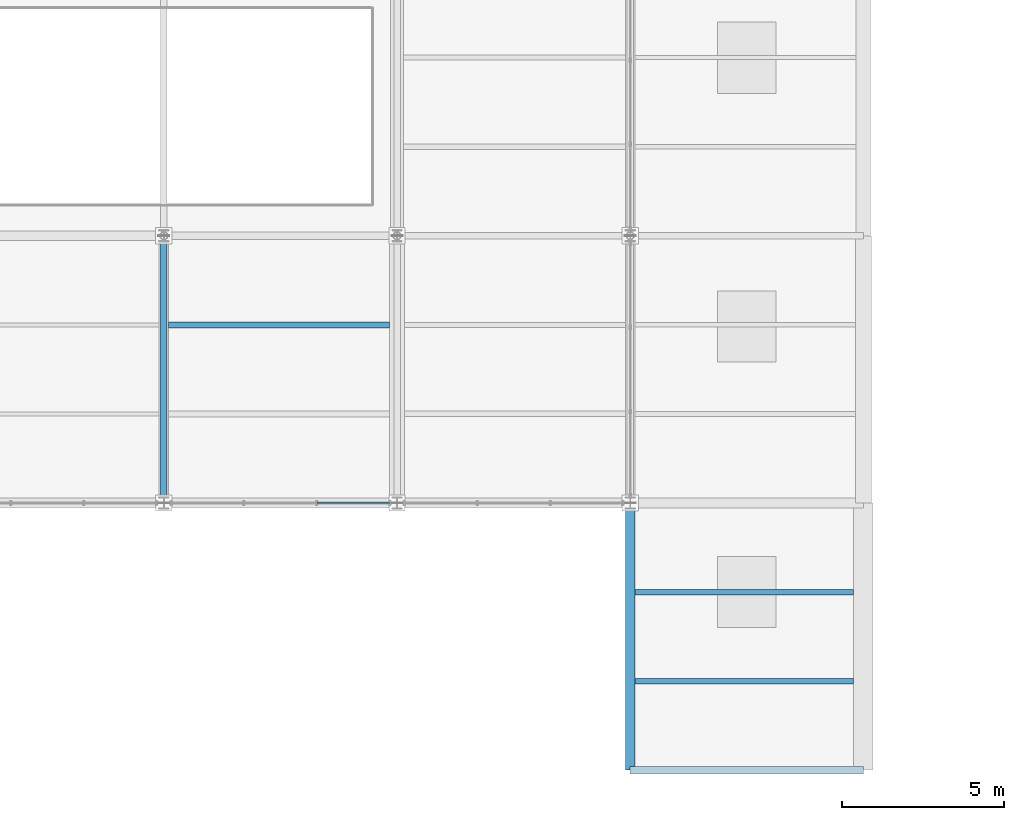
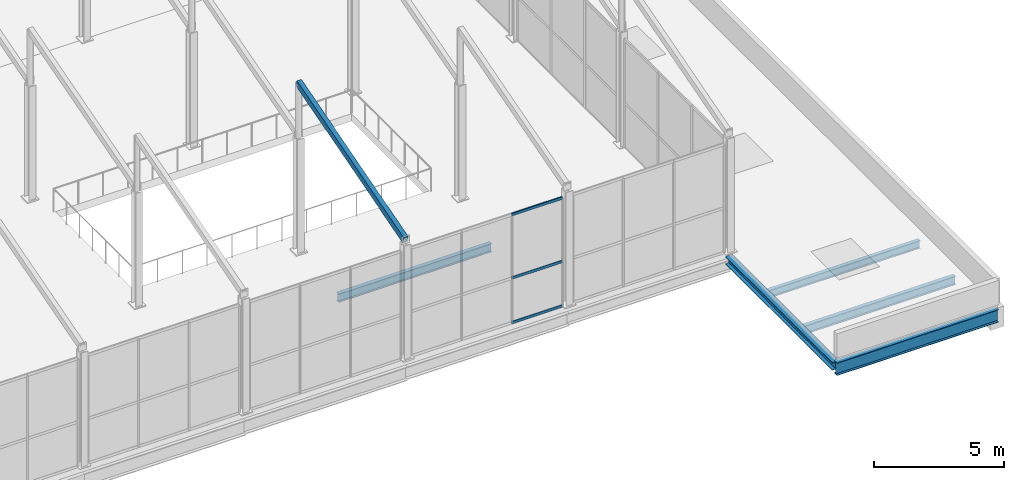
# One storey, part 61 of 141: 5 beams, 4 members, 1 element without a shape of its own.
"""IFC4 building model written with IfcOpenShell, lengths in metres."""

from ifc_helpers import new_model, si_unit, direction, frame, origin, origin_2d, place, context, subcontext, project, spatial, hollow_rectangle, i_section, extrude, material, layer, layer_set, material_profile, profile_set, type_object, element, aggregate, save


model = new_model("IFC4")

# Units and contexts
model_context = context("Model", 3, precision=1e-05, world=origin(), true_north=direction((0.0, 1.0)))
body_context = subcontext(model_context, "Body", "Model", "MODEL_VIEW")
ifc_project = project(units=[si_unit("LENGTHUNIT", "METRE"), si_unit("AREAUNIT", "SQUARE_METRE"), si_unit("VOLUMEUNIT", "CUBIC_METRE"), si_unit("PLANEANGLEUNIT", "RADIAN"), si_unit("MASSUNIT", "GRAM", prefix="KILO")], contexts=[model_context])

# Site, building, storey
site_placement = place(None, origin())
site = spatial("IfcSite", under=ifc_project, at=site_placement, CompositionType="ELEMENT")
building_placement = place(site_placement, origin())
building = spatial("IfcBuilding", under=site, at=building_placement, Name="Sundgate Opera House", CompositionType="ELEMENT")
storey_placement = place(building_placement, frame((0.0, 0.0, 11.39990234375)))
storey = spatial("IfcBuildingStorey", under=building, at=storey_placement, Name="L02", CompositionType="ELEMENT", Elevation=11.39990234375)

# Beams
ifc_material_1 = material(Name="Steel S355J2", Category="steel")
ifc_material_profile_1 = material_profile(ifc_material_1, i_section(OverallWidth=0.300048828125, OverallDepth=0.360107421875, WebThickness=0.012451171875, FlangeThickness=0.0224609375, at=origin_2d()), Name="HEB 360")
ifc_profile_set_1 = profile_set([ifc_material_profile_1], Name="Steel S355J2")
beam_type_1 = type_object("IfcBeamType", Name="BM-GR-HEB360", PredefinedType="BEAM", material=ifc_profile_set_1)
beam_1_placement = place(storey_placement, frame((153.0, 0.0, -0.409912109375), z_axis=(0.0, 1.0, 0.0), x_axis=(-1.0, 0.0, 0.0)))
element("IfcBeam", 1, at=beam_1_placement, inside=storey, type_object=beam_type_1, Name="L02 Primary N-S Girder B1930", PredefinedType="BEAM", context=body_context, shape_type="SweptSolid", body=[
    extrude(i_section(OverallWidth=0.300048828125, OverallDepth=0.360107421875, WebThickness=0.012451171875, FlangeThickness=0.0224609375, at=origin_2d()), origin(), (0.0, 0.0, 1.0), 8.25),
])
ifc_material_2 = material(Name="Steel S355J2", Category="steel")
ifc_material_profile_2 = material_profile(ifc_material_2, i_section(OverallWidth=0.219970703125, OverallDepth=0.60009765625, WebThickness=0.011962890625, FlangeThickness=0.01904296875, at=origin_2d()), Name="IPE 600")
ifc_profile_set_2 = profile_set([ifc_material_profile_2], Name="Steel S355J2")
beam_type_2 = type_object("IfcBeamType", Name="BM-GR-IPE600", PredefinedType="BEAM", material=ifc_profile_set_2)
beam_2_placement = place(storey_placement, frame((153.0, 0.0, -0.52978515625), z_axis=(1.0, 0.0, 0.0), x_axis=(0.0, 1.0, 0.0)))
element("IfcBeam", 2, at=beam_2_placement, inside=storey, type_object=beam_type_2, Name="L02 Primary E-W Girder B1959", PredefinedType="BEAM", context=body_context, shape_type="SweptSolid", body=[
    extrude(i_section(OverallWidth=0.219970703125, OverallDepth=0.60009765625, WebThickness=0.011962890625, FlangeThickness=0.01904296875, at=origin_2d()), origin(), (0.0, 0.0, 1.0), 7.199951171875),
])
ifc_material_3 = material(Name="Steel S355J2", Category="steel")
ifc_material_profile_3 = material_profile(ifc_material_3, i_section(OverallWidth=0.169921875, OverallDepth=0.360107421875, WebThickness=0.008056640625, FlangeThickness=0.0126953125, at=origin_2d()), Name="IPE 360")
ifc_profile_set_3 = profile_set([ifc_material_profile_3], Name="Steel S355J2")
beam_type_3 = type_object("IfcBeamType", Name="BM-JS-IPE360", PredefinedType="JOIST", material=ifc_profile_set_3)
beam_3_placement = place(storey_placement, frame((153.14990234375, 5.5, -0.409912109375), z_axis=(1.0, 0.0, 0.0), x_axis=(0.0, 1.0, 0.0)))
element("IfcBeam", 3, at=beam_3_placement, inside=storey, type_object=beam_type_3, Name="L02 Secondary Floor Joist B2138", PredefinedType="JOIST", context=body_context, shape_type="SweptSolid", body=[
    extrude(i_section(OverallWidth=0.169921875, OverallDepth=0.360107421875, WebThickness=0.008056640625, FlangeThickness=0.0126953125, at=origin_2d()), origin(), (0.0, 0.0, 1.0), 6.75),
])
ifc_material_4 = material(Name="Steel S355J2", Category="steel")
ifc_material_profile_4 = material_profile(ifc_material_4, i_section(OverallWidth=0.179931640625, OverallDepth=0.39990234375, WebThickness=0.008544921875, FlangeThickness=0.013427734375, at=origin_2d()), Name="IPE 400")
ifc_profile_set_4 = profile_set([ifc_material_profile_4], Name="Steel S355J2")
beam_type_4 = type_object("IfcBeamType", Name="BM-JS-IPE400", PredefinedType="JOIST", material=ifc_profile_set_4)
beam_4_placement = place(storey_placement, frame((153.14990234375, 2.75, -0.429931640625), z_axis=(1.0, 0.0, 0.0), x_axis=(0.0, 1.0, 0.0)))
element("IfcBeam", 4, at=beam_4_placement, inside=storey, type_object=beam_type_4, Name="L02 Secondary Floor Joist B2137", PredefinedType="JOIST", context=body_context, shape_type="SweptSolid", body=[
    extrude(i_section(OverallWidth=0.179931640625, OverallDepth=0.39990234375, WebThickness=0.008544921875, FlangeThickness=0.013427734375, at=origin_2d()), origin(), (0.0, 0.0, 1.0), 6.75),
])
beam_5_placement = place(storey_placement, frame((138.75, 13.75, -0.5498046875), z_axis=(1.0, 0.0, 0.0), x_axis=(0.0, 1.0, 0.0)))
element("IfcBeam", 5, at=beam_5_placement, inside=storey, type_object=beam_type_4, Name="L02 Secondary Floor Joist B2158", PredefinedType="JOIST", context=body_context, shape_type="SweptSolid", body=[
    extrude(i_section(OverallWidth=0.179931640625, OverallDepth=0.39990234375, WebThickness=0.008544921875, FlangeThickness=0.013427734375, at=origin_2d()), origin(), (0.0, 0.0, 1.0), 6.824951171875),
])

# Curtain wall, members
ifc_material_5 = material(Name="Anodized aluminium and low-iron glass", Category="aluminium")
ifc_layer = layer(ifc_material_5, 0.14990234375)
ifc_layer_set = layer_set([ifc_layer], Name="Anodized aluminium and low-iron glass")
curtain_wall_type = type_object("IfcCurtainWallType", Name="CW-WORKSHOP-DARK", PredefinedType="NOTDEFINED", material=ifc_layer_set)
curtain_wall_placement = place(storey_placement, origin())
curtain_wall = element("IfcCurtainWall", 6, at=curtain_wall_placement, inside=storey, type_object=curtain_wall_type, Name="L02 Curtain Wall CW160", PredefinedType="NOTDEFINED")
ifc_material_6 = material(Name="Anodized aluminium EN AW-6063", Category="aluminium")
ifc_material_profile_5 = material_profile(ifc_material_6, hollow_rectangle(XDim=0.054931640625, YDim=0.1201171875, WallThickness=0.00390625, at=origin_2d()), Name="CWT 120x55x4")
ifc_profile_set_5 = profile_set([ifc_material_profile_5], Name="Anodized aluminium EN AW-6063")
member_type_1 = type_object("IfcMemberType", Name="CWT-ALU-120x55", PredefinedType="USERDEFINED", material=ifc_profile_set_5)
member_1_placement = place(storey_placement, frame((145.574951171875, 8.25, 0.0), z_axis=(-1.0, 0.0, 0.0), x_axis=(0.0, -1.0, 0.0)))
member_1 = element("IfcMember", 7, at=member_1_placement, type_object=member_type_1, Name="CW160 Transom 1", ObjectType="TRANSOM", PredefinedType="USERDEFINED", context=body_context, shape_type="SweptSolid", body=[
    extrude(hollow_rectangle(XDim=0.054931640625, YDim=0.1201171875, WallThickness=0.00390625, at=origin_2d()), origin(), (0.0, 0.0, 1.0), 2.25),
])
member_2_placement = place(storey_placement, frame((145.574951171875, 8.25, 2.10009765625), z_axis=(-1.0, 0.0, 0.0), x_axis=(0.0, -1.0, 0.0)))
member_2 = element("IfcMember", 8, at=member_2_placement, type_object=member_type_1, Name="CW160 Transom 2", ObjectType="TRANSOM", PredefinedType="USERDEFINED", context=body_context, shape_type="SweptSolid", body=[
    extrude(hollow_rectangle(XDim=0.054931640625, YDim=0.1201171875, WallThickness=0.00390625, at=origin_2d()), origin(), (0.0, 0.0, 1.0), 2.25),
])
member_3_placement = place(storey_placement, frame((145.574951171875, 8.25, 5.085205078125), z_axis=(-1.0, 0.0, 0.0), x_axis=(0.0, -1.0, 0.0)))
member_3 = element("IfcMember", 9, at=member_3_placement, type_object=member_type_1, Name="CW160 Transom 3", ObjectType="TRANSOM", PredefinedType="USERDEFINED", context=body_context, shape_type="SweptSolid", body=[
    extrude(hollow_rectangle(XDim=0.054931640625, YDim=0.1201171875, WallThickness=0.00390625, at=origin_2d()), origin(), (0.0, 0.0, 1.0), 2.25),
])
aggregate(curtain_wall, [member_1, member_2, member_3])

# Member
ifc_material_7 = material(Name="Steel S355J2", Category="steel")
ifc_material_profile_6 = material_profile(ifc_material_7, hollow_rectangle(XDim=0.199951171875, YDim=0.300048828125, WallThickness=0.012451171875, at=origin_2d()), Name="RHS 300x200x12.5")
ifc_profile_set_6 = profile_set([ifc_material_profile_6], Name="Steel S355J2")
member_type_2 = type_object("IfcMemberType", Name="MB-CHORD-RHS300", PredefinedType="CHORD", material=ifc_profile_set_6)
member_4_placement = place(storey_placement, frame((138.60009765625, 8.25, 5.550048828125), z_axis=(0.0, 0.96019072379, 0.279345259398), x_axis=(-1.0, 0.0, 0.0)))
element("IfcMember", 10, at=member_4_placement, inside=storey, type_object=member_type_2, Name="L02 Sawtooth Rafter M0393", PredefinedType="CHORD", context=body_context, shape_type="SweptSolid", body=[
    extrude(hollow_rectangle(XDim=0.199951171875, YDim=0.300048828125, WallThickness=0.012451171875, at=origin_2d()), origin(), (0.0, 0.0, 1.0), 8.592041015625),
])

save(model, "model.ifc")
